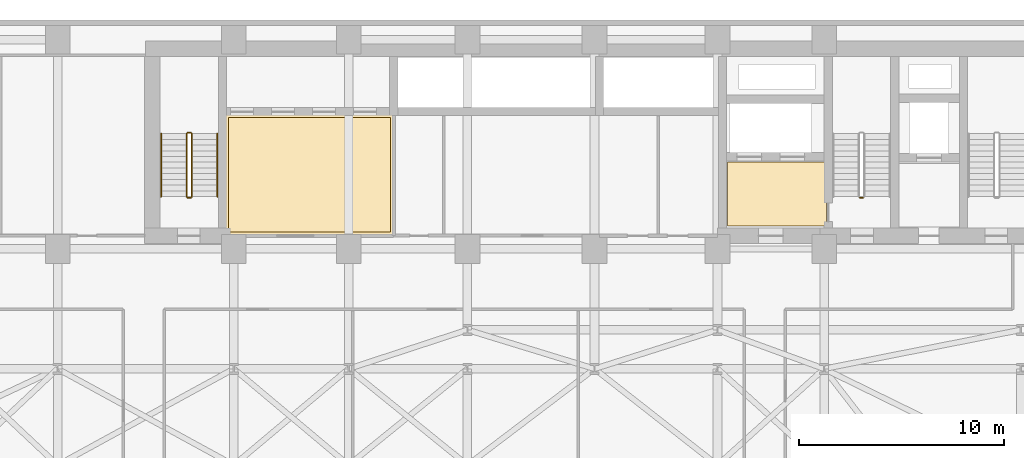
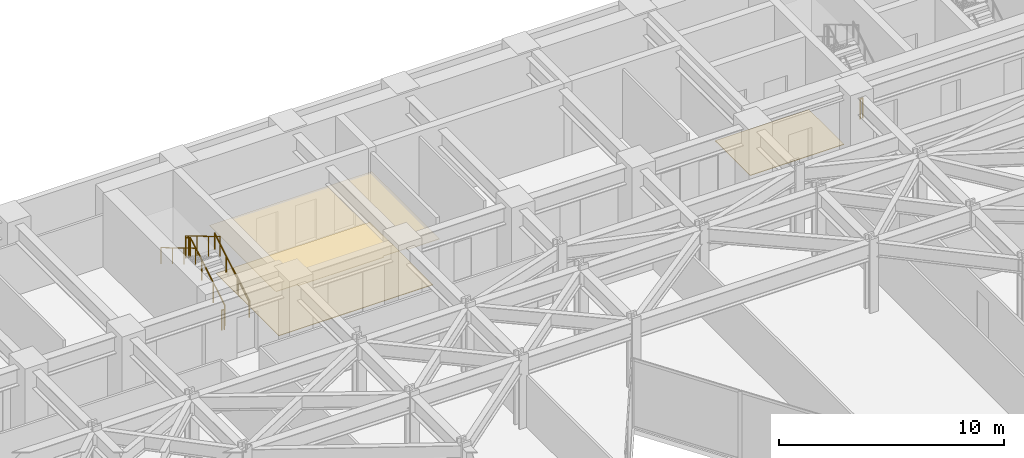
# One storey, part 23 of 24: 7 railings, 3 coverings.
"""IFC4 building model written with IfcOpenShell, lengths in metres."""

from ifc_helpers import new_model, si_unit, direction, frame, origin, origin_2d, place, context, subcontext, project, spatial, polyline, circle, outline, extrude, material, layer, layer_set, type_object, element, save


model = new_model("IFC4")

# Units and contexts
model_context = context("Model", 3, precision=1e-05, world=origin(), true_north=direction((0.0, 1.0)))
body_context = subcontext(model_context, "Body", "Model", "MODEL_VIEW")
ifc_project = project(units=[si_unit("LENGTHUNIT", "METRE"), si_unit("AREAUNIT", "SQUARE_METRE"), si_unit("VOLUMEUNIT", "CUBIC_METRE"), si_unit("PLANEANGLEUNIT", "RADIAN"), si_unit("MASSUNIT", "GRAM", prefix="KILO")], contexts=[model_context])

# Site, building, storey
site_placement = place(None, origin())
site = spatial("IfcSite", under=ifc_project, at=site_placement, CompositionType="ELEMENT")
building_placement = place(site_placement, origin())
building = spatial("IfcBuilding", under=site, at=building_placement, Name="Kravanh Interchange Tower", CompositionType="ELEMENT")
storey_placement = place(building_placement, frame((0.0, 0.0, 37.5)))
storey = spatial("IfcBuildingStorey", under=building, at=storey_placement, Name="L08", CompositionType="ELEMENT", Elevation=37.5)

# Coverings
ifc_material_1 = material(Name="Cementitious Terrazzo Tile")
ifc_layer_1 = layer(ifc_material_1, 0.030029296875)
ifc_layer_set_1 = layer_set([ifc_layer_1], Name="Honed Terrazzo Lobby Flooring 30mm")
covering_type_1 = type_object("IfcCoveringType", Name="Honed Terrazzo Lobby Flooring 30mm", PredefinedType="FLOORING", material=ifc_layer_set_1)
covering_1_placement = place(storey_placement, origin())
element("IfcCovering", 1, at=covering_1_placement, inside=storey, type_object=covering_type_1, Name="L08 Firefighting Lobby Floor Finish", PredefinedType="FLOORING", context=body_context, shape_type="SweptSolid", body=[
    extrude(outline(polyline([(56.1201171875, 38.4599609375), (51.300048828125, 38.4599609375), (51.300048828125, 41.580078125), (56.1201171875, 41.580078125), (56.1201171875, 38.4599609375)])), origin(), (0.0, 0.0, 1.0), 0.030029296875),
])
covering_2_placement = place(storey_placement, origin())
element("IfcCovering", 2, at=covering_2_placement, inside=storey, type_object=covering_type_1, Name="L08 Low-Rise Lift Lobby Floor Finish", PredefinedType="FLOORING", context=body_context, shape_type="SweptSolid", body=[
    extrude(outline(polyline([(26.929931640625, 43.77001953125), (34.840087890625, 43.77001953125), (34.840087890625, 38.179931640625), (26.929931640625, 38.179931640625), (26.929931640625, 43.77001953125)])), origin(), (0.0, 0.0, 1.0), 0.030029296875),
])
ifc_material_2 = material(Name="Acoustic Mineral Fibre Tile on Aluminium Grid", Category="aluminium")
ifc_layer_2 = layer(ifc_material_2, 0.02490234375)
ifc_layer_set_2 = layer_set([ifc_layer_2], Name="Perforated Acoustic Mineral Ceiling 25mm")
covering_type_2 = type_object("IfcCoveringType", Name="Perforated Acoustic Mineral Ceiling 25mm", PredefinedType="CEILING", material=ifc_layer_set_2)
covering_3_placement = place(storey_placement, frame((0.0, 0.0, 2.550048828125)))
element("IfcCovering", 3, at=covering_3_placement, inside=storey, type_object=covering_type_2, Name="L08 Low-Rise Lift Lobby Suspended Ceiling", PredefinedType="CEILING", context=body_context, shape_type="SweptSolid", body=[
    extrude(outline(polyline([(35.06005859375, 37.9599609375), (33.39990234375, 37.9599609375), (33.39990234375, 38.050048828125), (32.199951171875, 38.050048828125), (32.199951171875, 37.9599609375), (27.800048828125, 37.9599609375), (27.800048828125, 38.050048828125), (26.7099609375, 38.050048828125), (26.7099609375, 43.989990234375), (35.06005859375, 43.989990234375), (35.06005859375, 37.9599609375)])), origin(), (0.0, 0.0, 1.0), 0.02490234375),
])

# Railings
ifc_material_3 = material(Name="Structural Steel S355", Category="steel")
ifc_layer_3 = layer(ifc_material_3, 0.050048828125)
ifc_layer_set_3 = layer_set([ifc_layer_3], Name="Stair Well Guardrail Structural Steel S355 1100mm")
railing_type_1 = type_object("IfcRailingType", Name="Stair Well Guardrail Structural Steel S355 1100mm", PredefinedType="GUARDRAIL", material=ifc_layer_set_3)
railing_1_placement = place(storey_placement, frame((57.89990234375, 39.85009765625, 0.0)))
element("IfcRailing", 4, at=railing_1_placement, inside=storey, type_object=railing_type_1, Name="L08 ST2 stair guard 4", PredefinedType="GUARDRAIL", context=body_context, shape_type="SweptSolid", body=[
    extrude(circle(Radius=0.02392578125, at=origin_2d()), frame((0.0, 0.0, 1.076171875), z_axis=(-1.0, 0.0, 0.0), x_axis=(0.0, -1.0, 0.0)), (0.0, 0.0, 1.0), 0.14990234375),
    extrude(circle(Radius=0.02099609375, at=origin_2d()), origin(), (0.0, 0.0, 1.0), 1.052001953125),
    extrude(circle(Radius=0.02099609375, at=origin_2d()), frame((-0.14990234375, 0.0, 0.0)), (0.0, 0.0, 1.0), 1.052001953125),
])
railing_2_placement = place(storey_placement, frame((25.14990234375, 39.89990234375, 0.166748046875)))
element("IfcRailing", 5, at=railing_2_placement, inside=storey, type_object=railing_type_1, Name="L08 ST3 stair guard 1", PredefinedType="GUARDRAIL", context=body_context, shape_type="SweptSolid", body=[
    extrude(circle(Radius=0.02392578125, at=origin_2d()), frame((0.0, 0.0, 1.076171875), z_axis=(0.0, 0.859308565015, 0.511457515432), x_axis=(-1.0, 0.0, 0.0)), (0.0, 0.0, 1.0), 3.58447265625),
    extrude(circle(Radius=0.02099609375, at=origin_2d()), origin(), (0.0, 0.0, 1.0), 1.052001953125),
    extrude(circle(Radius=0.02099609375, at=origin_2d()), frame((0.0, 1.026611328125, 0.611083984375)), (0.0, 0.0, 1.0), 1.052001953125),
    extrude(circle(Radius=0.02099609375, at=origin_2d()), frame((0.0, 2.053466796875, 1.22216796875)), (0.0, 0.0, 1.0), 1.052001953125),
    extrude(circle(Radius=0.02099609375, at=origin_2d()), frame((0.0, 3.080078125, 1.833251953125)), (0.0, 0.0, 1.0), 1.052001953125),
])
railing_3_placement = place(storey_placement, frame((25.10009765625, 43.030029296875, 2.0)))
element("IfcRailing", 6, at=railing_3_placement, inside=storey, type_object=railing_type_1, Name="L08 ST3 stair guard 2", PredefinedType="GUARDRAIL", context=body_context, shape_type="SweptSolid", body=[
    extrude(circle(Radius=0.02392578125, at=origin_2d()), frame((0.0, 0.0, 1.076171875), z_axis=(-1.0, 0.0, 0.0), x_axis=(0.0, -1.0, 0.0)), (0.0, 0.0, 1.0), 0.150146484375),
    extrude(circle(Radius=0.02099609375, at=origin_2d()), origin(), (0.0, 0.0, 1.0), 1.052001953125),
    extrude(circle(Radius=0.02099609375, at=origin_2d()), frame((-0.150146484375, 0.0, 0.0)), (0.0, 0.0, 1.0), 1.052001953125),
])
railing_4_placement = place(storey_placement, frame((24.89990234375, 42.97998046875, 2.166748046875)))
element("IfcRailing", 7, at=railing_4_placement, inside=storey, type_object=railing_type_1, Name="L08 ST3 stair guard 3", PredefinedType="GUARDRAIL", context=body_context, shape_type="SweptSolid", body=[
    extrude(circle(Radius=0.02392578125, at=origin_2d()), frame((0.0, 0.0, 1.076171875), z_axis=(0.0, -0.859308565015, 0.511457515432), x_axis=(1.0, 0.0, 0.0)), (0.0, 0.0, 1.0), 3.58447265625),
    extrude(circle(Radius=0.02099609375, at=origin_2d()), origin(), (0.0, 0.0, 1.0), 1.052001953125),
    extrude(circle(Radius=0.02099609375, at=origin_2d()), frame((0.0, -1.026611328125, 0.611083984375)), (0.0, 0.0, 1.0), 1.052001953125),
    extrude(circle(Radius=0.02099609375, at=origin_2d()), frame((0.0, -2.053466796875, 1.22216796875)), (0.0, 0.0, 1.0), 1.052001953125),
    extrude(circle(Radius=0.02099609375, at=origin_2d()), frame((0.0, -3.080078125, 1.833251953125)), (0.0, 0.0, 1.0), 1.052001953125),
])
railing_5_placement = place(storey_placement, frame((25.10009765625, 39.85009765625, 0.0)))
element("IfcRailing", 8, at=railing_5_placement, inside=storey, type_object=railing_type_1, Name="L08 ST3 stair guard 4", PredefinedType="GUARDRAIL", context=body_context, shape_type="SweptSolid", body=[
    extrude(circle(Radius=0.02392578125, at=origin_2d()), frame((0.0, 0.0, 1.076171875), z_axis=(-1.0, 0.0, 0.0), x_axis=(0.0, -1.0, 0.0)), (0.0, 0.0, 1.0), 0.150146484375),
    extrude(circle(Radius=0.02099609375, at=origin_2d()), origin(), (0.0, 0.0, 1.0), 1.052001953125),
    extrude(circle(Radius=0.02099609375, at=origin_2d()), frame((-0.150146484375, 0.0, 0.0)), (0.0, 0.0, 1.0), 1.052001953125),
])
ifc_material_4 = material(Name="Stainless Steel 304", Category="steel")
ifc_layer_4 = layer(ifc_material_4, 0.044921875)
ifc_layer_set_4 = layer_set([ifc_layer_4], Name="Tubular Stair Handrail Stainless 304 900mm")
railing_type_2 = type_object("IfcRailingType", Name="Tubular Stair Handrail Stainless 304 900mm", PredefinedType="HANDRAIL", material=ifc_layer_set_4)
railing_6_placement = place(storey_placement, frame((26.39990234375, 39.89990234375, 0.166748046875)))
element("IfcRailing", 9, at=railing_6_placement, inside=storey, type_object=railing_type_2, Name="L08 ST3 stair handrail 1", PredefinedType="HANDRAIL", context=body_context, shape_type="SweptSolid", body=[
    extrude(circle(Radius=0.02392578125, at=origin_2d()), frame((0.0, 0.0, 0.8759765625), z_axis=(0.0, 0.859308565015, 0.511457515432), x_axis=(-1.0, 0.0, 0.0)), (0.0, 0.0, 1.0), 3.58447265625),
    extrude(circle(Radius=0.02099609375, at=origin_2d()), origin(), (0.0, 0.0, 1.0), 0.851806640625),
    extrude(circle(Radius=0.02099609375, at=origin_2d()), frame((0.0, 1.026611328125, 0.611083984375)), (0.0, 0.0, 1.0), 0.851806640625),
    extrude(circle(Radius=0.02099609375, at=origin_2d()), frame((0.0, 2.053466796875, 1.22216796875)), (0.0, 0.0, 1.0), 0.851806640625),
    extrude(circle(Radius=0.02099609375, at=origin_2d()), frame((0.0, 3.080078125, 1.833251953125)), (0.0, 0.0, 1.0), 0.851806640625),
])
railing_7_placement = place(storey_placement, frame((23.64990234375, 42.97998046875, 2.166748046875)))
element("IfcRailing", 10, at=railing_7_placement, inside=storey, type_object=railing_type_2, Name="L08 ST3 stair handrail 2", PredefinedType="HANDRAIL", context=body_context, shape_type="SweptSolid", body=[
    extrude(circle(Radius=0.02392578125, at=origin_2d()), frame((0.0, 0.0, 0.8759765625), z_axis=(0.0, -0.859308565015, 0.511457515432), x_axis=(1.0, 0.0, 0.0)), (0.0, 0.0, 1.0), 3.58447265625),
    extrude(circle(Radius=0.02099609375, at=origin_2d()), origin(), (0.0, 0.0, 1.0), 0.851806640625),
    extrude(circle(Radius=0.02099609375, at=origin_2d()), frame((0.0, -1.026611328125, 0.611083984375)), (0.0, 0.0, 1.0), 0.851806640625),
    extrude(circle(Radius=0.02099609375, at=origin_2d()), frame((0.0, -2.053466796875, 1.22216796875)), (0.0, 0.0, 1.0), 0.851806640625),
    extrude(circle(Radius=0.02099609375, at=origin_2d()), frame((0.0, -3.080078125, 1.833251953125)), (0.0, 0.0, 1.0), 0.851806640625),
])

save(model, "model.ifc")
